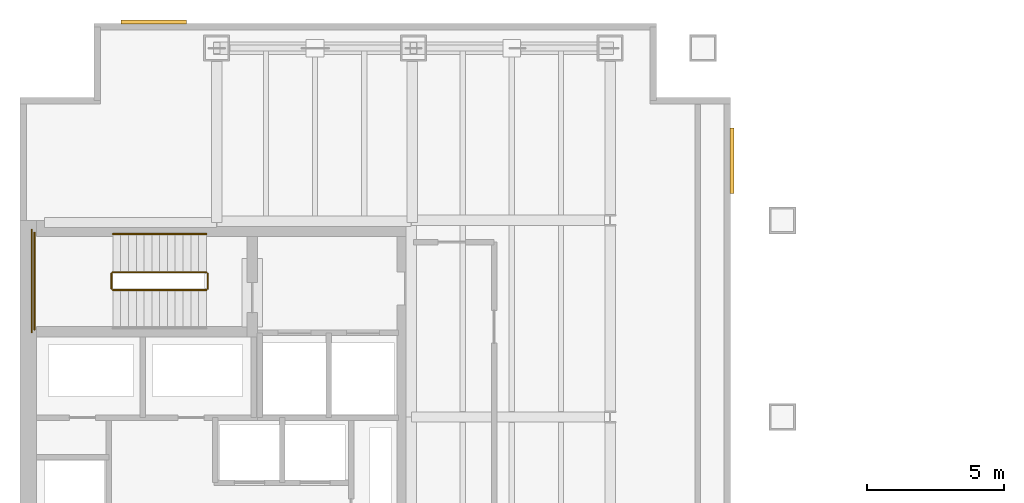
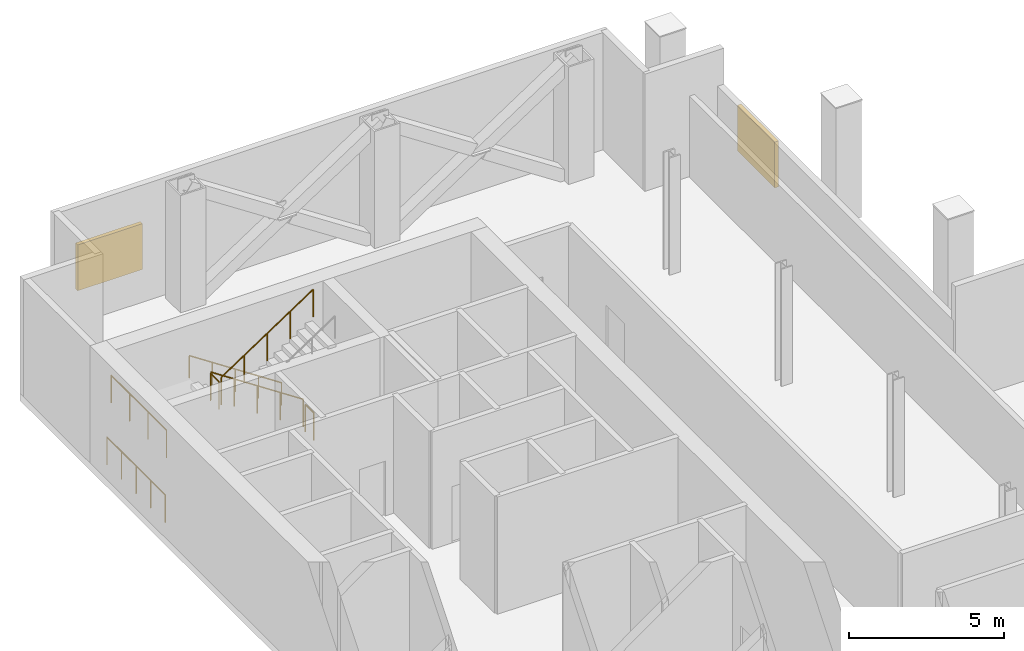
# One storey, part 9 of 9: 7 railings, 2 shading devices.
"""IFC4 building model written with IfcOpenShell, lengths in metres."""

from ifc_helpers import new_model, si_unit, direction, frame, origin, origin_2d, place, context, subcontext, project, spatial, polyline, circle, outline, extrude, material, layer, layer_set, type_object, element, save


model = new_model("IFC4")

# Units and contexts
model_context = context("Model", 3, precision=1e-05, world=origin(), true_north=direction((0.0, 1.0)))
body_context = subcontext(model_context, "Body", "Model", "MODEL_VIEW")
ifc_project = project(units=[si_unit("LENGTHUNIT", "METRE"), si_unit("AREAUNIT", "SQUARE_METRE"), si_unit("VOLUMEUNIT", "CUBIC_METRE"), si_unit("PLANEANGLEUNIT", "RADIAN"), si_unit("MASSUNIT", "GRAM", prefix="KILO")], contexts=[model_context])

# Site, building, storey
site_placement = place(None, origin())
site = spatial("IfcSite", under=ifc_project, at=site_placement, CompositionType="ELEMENT")
building_placement = place(site_placement, origin())
building = spatial("IfcBuilding", under=site, at=building_placement, Name="Cobrela Telecom Tower", CompositionType="ELEMENT")
storey_placement = place(building_placement, frame((0.0, 0.0, 92.75)))
storey = spatial("IfcBuildingStorey", under=building, at=storey_placement, Name="L23", CompositionType="ELEMENT", Elevation=92.75)

# Railings
ifc_material_1 = material(Name="Steel ASTM A36", Category="steel")
railing_type_1 = type_object("IfcRailingType", Name="RAIL-GUARD-1100", PredefinedType="GUARDRAIL", material=ifc_material_1)
railing_1_placement = place(storey_placement, frame((6.820068359375, 34.10009765625, 0.1884765625)))
element("IfcRailing", 1, at=railing_1_placement, inside=storey, type_object=railing_type_1, Name="L23 ST1 stair guard 1", PredefinedType="GUARDRAIL", context=body_context, shape_type="SweptSolid", body=[
    extrude(circle(Radius=0.02392578125, at=origin_2d()), frame((0.0, 0.0, 1.076171875), z_axis=(-0.83414210066, 0.0, 0.551549595147), x_axis=(0.0, -1.0, 0.0)), (0.0, 0.0, 1.0), 4.100341796875),
    extrude(circle(Radius=0.02099609375, at=origin_2d()), origin(), (0.0, 0.0, 1.0), 1.052001953125),
    extrude(circle(Radius=0.02099609375, at=origin_2d()), frame((-0.85498046875, 0.0, 0.5654296875)), (0.0, 0.0, 1.0), 1.052001953125),
    extrude(circle(Radius=0.02099609375, at=origin_2d()), frame((-1.7099609375, 0.0, 1.130859375)), (0.0, 0.0, 1.0), 1.052001953125),
    extrude(circle(Radius=0.02099609375, at=origin_2d()), frame((-2.565185546875, 0.0, 1.696044921875)), (0.0, 0.0, 1.0), 1.052001953125),
    extrude(circle(Radius=0.02099609375, at=origin_2d()), frame((-3.420166015625, 0.0, 2.261474609375)), (0.0, 0.0, 1.0), 1.052001953125),
])
railing_2_placement = place(storey_placement, frame((3.35009765625, 34.050048828125, 2.449951171875)))
element("IfcRailing", 2, at=railing_2_placement, inside=storey, type_object=railing_type_1, Name="L23 ST1 stair guard 2", PredefinedType="GUARDRAIL", context=body_context, shape_type="SweptSolid", body=[
    extrude(circle(Radius=0.02392578125, at=origin_2d()), frame((0.0, 0.0, 1.076171875), z_axis=(0.0, -1.0, 0.0), x_axis=(1.0, 0.0, 0.0)), (0.0, 0.0, 1.0), 0.550048828125),
    extrude(circle(Radius=0.02099609375, at=origin_2d()), origin(), (0.0, 0.0, 1.0), 1.052001953125),
    extrude(circle(Radius=0.02099609375, at=origin_2d()), frame((0.0, -0.550048828125, 0.0)), (0.0, 0.0, 1.0), 1.052001953125),
])
railing_3_placement = place(storey_placement, frame((0.530029296875, 35.550048828125, 2.449951171875)))
element("IfcRailing", 3, at=railing_3_placement, inside=storey, type_object=railing_type_1, Name="L23 ST1 stair guard 3", PredefinedType="GUARDRAIL", context=body_context, shape_type="SweptSolid", body=[
    extrude(circle(Radius=0.02392578125, at=origin_2d()), frame((0.0, 0.0, 1.076171875), z_axis=(0.0, -1.0, 0.0), x_axis=(1.0, 0.0, 0.0)), (0.0, 0.0, 1.0), 3.550048828125),
    extrude(circle(Radius=0.02099609375, at=origin_2d()), origin(), (0.0, 0.0, 1.0), 1.052001953125),
    extrude(circle(Radius=0.02099609375, at=origin_2d()), frame((0.0, -1.183349609375, 0.0)), (0.0, 0.0, 1.0), 1.052001953125),
    extrude(circle(Radius=0.02099609375, at=origin_2d()), frame((0.0, -2.36669921875, 0.0)), (0.0, 0.0, 1.0), 1.052001953125),
    extrude(circle(Radius=0.02099609375, at=origin_2d()), frame((0.0, -3.550048828125, 0.0)), (0.0, 0.0, 1.0), 1.052001953125),
])
railing_4_placement = place(storey_placement, frame((3.39990234375, 33.449951171875, 2.638427734375)))
element("IfcRailing", 4, at=railing_4_placement, inside=storey, type_object=railing_type_1, Name="L23 ST1 stair guard 4", PredefinedType="GUARDRAIL", context=body_context, shape_type="SweptSolid", body=[
    extrude(circle(Radius=0.02392578125, at=origin_2d()), frame((0.0, 0.0, 1.076171875), z_axis=(0.83414210066, 0.0, 0.551549595147), x_axis=(0.0, 1.0, 0.0)), (0.0, 0.0, 1.0), 4.100341796875),
    extrude(circle(Radius=0.02099609375, at=origin_2d()), origin(), (0.0, 0.0, 1.0), 1.052001953125),
    extrude(circle(Radius=0.02099609375, at=origin_2d()), frame((0.85498046875, 0.0, 0.5654296875)), (0.0, 0.0, 1.0), 1.052001953125),
    extrude(circle(Radius=0.02099609375, at=origin_2d()), frame((1.7099609375, 0.0, 1.130859375)), (0.0, 0.0, 1.0), 1.052001953125),
    extrude(circle(Radius=0.02099609375, at=origin_2d()), frame((2.565185546875, 0.0, 1.696044921875)), (0.0, 0.0, 1.0), 1.052001953125),
    extrude(circle(Radius=0.02099609375, at=origin_2d()), frame((3.420166015625, 0.0, 2.261474609375)), (0.0, 0.0, 1.0), 1.052001953125),
])
railing_5_placement = place(storey_placement, frame((6.8701171875, 34.050048828125, 0.0)))
element("IfcRailing", 5, at=railing_5_placement, inside=storey, type_object=railing_type_1, Name="L23 ST1 stair guard 5", PredefinedType="GUARDRAIL", context=body_context, shape_type="SweptSolid", body=[
    extrude(circle(Radius=0.02392578125, at=origin_2d()), frame((0.0, 0.0, 1.076171875), z_axis=(0.0, -1.0, 0.0), x_axis=(1.0, 0.0, 0.0)), (0.0, 0.0, 1.0), 0.550048828125),
    extrude(circle(Radius=0.02099609375, at=origin_2d()), origin(), (0.0, 0.0, 1.0), 1.052001953125),
    extrude(circle(Radius=0.02099609375, at=origin_2d()), frame((0.0, -0.550048828125, 0.0)), (0.0, 0.0, 1.0), 1.052001953125),
])
railing_6_placement = place(storey_placement, frame((0.429931640625, 35.64990234375, 0.0)))
element("IfcRailing", 6, at=railing_6_placement, inside=storey, type_object=railing_type_1, Name="L23 ST1 stair guard 6", PredefinedType="GUARDRAIL", context=body_context, shape_type="SweptSolid", body=[
    extrude(circle(Radius=0.02392578125, at=origin_2d()), frame((0.0, 0.0, 1.076171875), z_axis=(0.0, -1.0, 0.0), x_axis=(1.0, 0.0, 0.0)), (0.0, 0.0, 1.0), 3.75),
    extrude(circle(Radius=0.02099609375, at=origin_2d()), origin(), (0.0, 0.0, 1.0), 1.052001953125),
    extrude(circle(Radius=0.02099609375, at=origin_2d()), frame((0.0, -0.9375, 0.0)), (0.0, 0.0, 1.0), 1.052001953125),
    extrude(circle(Radius=0.02099609375, at=origin_2d()), frame((0.0, -1.875, 0.0)), (0.0, 0.0, 1.0), 1.052001953125),
    extrude(circle(Radius=0.02099609375, at=origin_2d()), frame((0.0, -2.8125, 0.0)), (0.0, 0.0, 1.0), 1.052001953125),
    extrude(circle(Radius=0.02099609375, at=origin_2d()), frame((0.0, -3.75, 0.0)), (0.0, 0.0, 1.0), 1.052001953125),
])
railing_type_2 = type_object("IfcRailingType", Name="RAIL-HAND-920", PredefinedType="HANDRAIL", material=ifc_material_1)
railing_7_placement = place(storey_placement, frame((6.820068359375, 35.5, 0.1884765625)))
element("IfcRailing", 7, at=railing_7_placement, inside=storey, type_object=railing_type_2, Name="L23 ST1 stair handrail 1", PredefinedType="HANDRAIL", context=body_context, shape_type="SweptSolid", body=[
    extrude(circle(Radius=0.02392578125, at=origin_2d()), frame((0.0, 0.0, 0.8759765625), z_axis=(-0.83414210066, 0.0, 0.551549595147), x_axis=(0.0, -1.0, 0.0)), (0.0, 0.0, 1.0), 4.100341796875),
    extrude(circle(Radius=0.02099609375, at=origin_2d()), origin(), (0.0, 0.0, 1.0), 0.851806640625),
    extrude(circle(Radius=0.02099609375, at=origin_2d()), frame((-0.85498046875, 0.0, 0.5654296875)), (0.0, 0.0, 1.0), 0.851806640625),
    extrude(circle(Radius=0.02099609375, at=origin_2d()), frame((-1.7099609375, 0.0, 1.130859375)), (0.0, 0.0, 1.0), 0.851806640625),
    extrude(circle(Radius=0.02099609375, at=origin_2d()), frame((-2.565185546875, 0.0, 1.696044921875)), (0.0, 0.0, 1.0), 0.851806640625),
    extrude(circle(Radius=0.02099609375, at=origin_2d()), frame((-3.420166015625, 0.0, 2.261474609375)), (0.0, 0.0, 1.0), 0.851806640625),
])

# Shading devices
ifc_material_2 = material(Name="Anodized Bronze Aluminium 6063-T6", Category="aluminium")
ifc_layer = layer(ifc_material_2, 0.159912109375)
ifc_layer_set = layer_set([ifc_layer], Name="Anodized Bronze Aluminium 6063-T6")
shading_device_type = type_object("IfcShadingDeviceType", Name="SHD-LOUVRE-BRZ", PredefinedType="JALOUSIE", material=ifc_layer_set)
shading_device_1_placement = place(storey_placement, frame((0.0, 0.0, 1.10009765625)))
element("IfcShadingDevice", 8, at=shading_device_1_placement, inside=storey, type_object=shading_device_type, Name="L23 Acoustic Bronze Plant Louvre 05", PredefinedType="JALOUSIE", context=body_context, shape_type="SweptSolid", body=[
    extrude(outline(polyline([(3.699951171875, 43.18994140625), (6.10009765625, 43.18994140625), (6.10009765625, 43.330078125), (3.699951171875, 43.330078125), (3.699951171875, 43.18994140625)])), origin(), (0.0, 0.0, 1.0), 1.7998046875),
])
shading_device_2_placement = place(storey_placement, frame((0.0, 0.0, 1.10009765625)))
element("IfcShadingDevice", 9, at=shading_device_2_placement, inside=storey, type_object=shading_device_type, Name="L23 Acoustic Bronze Plant Louvre 06", PredefinedType="JALOUSIE", context=body_context, shape_type="SweptSolid", body=[
    extrude(outline(polyline([(25.989990234375, 39.3798828125), (25.989990234375, 36.97998046875), (26.1298828125, 36.97998046875), (26.1298828125, 39.3798828125), (25.989990234375, 39.3798828125)])), origin(), (0.0, 0.0, 1.0), 1.7998046875),
])

save(model, "model.ifc")
